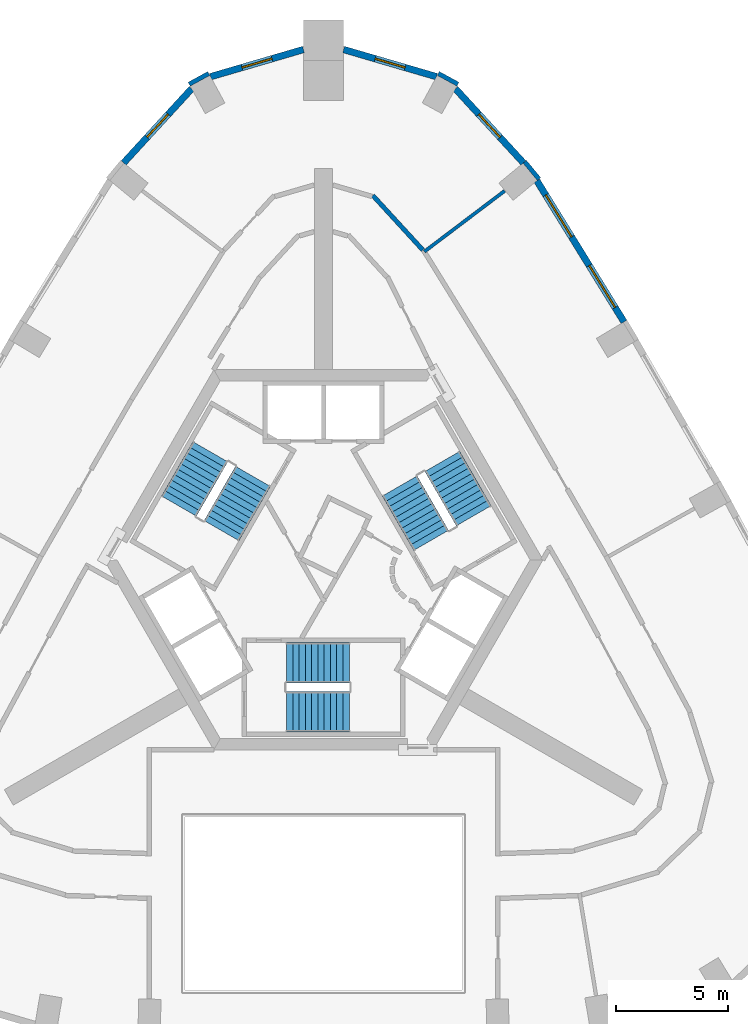
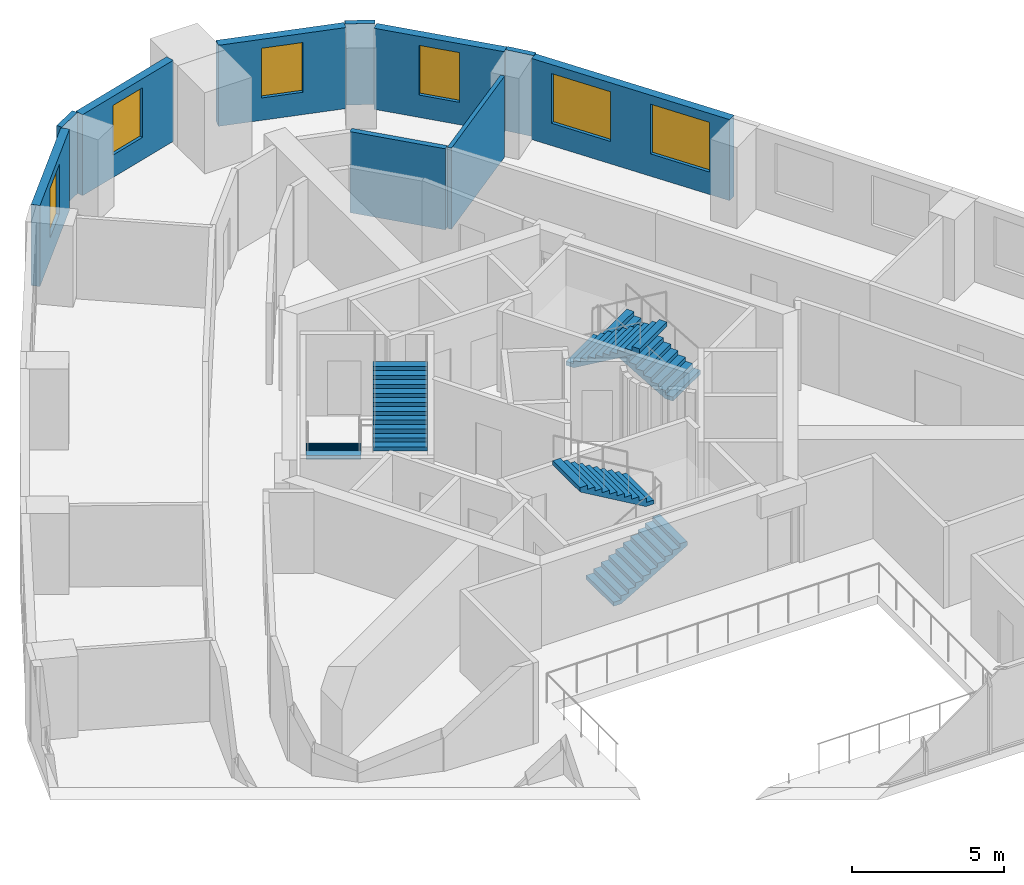
# One storey, part 7 of 8: 10 walls, 6 stair flights, 6 windows, 6 openings, 3 elements without a shape of their own.
"""IFC4 building model written with IfcOpenShell, lengths in metres."""

from ifc_helpers import new_model, si_unit, direction, frame, frame_2d, origin, place, context, subcontext, project, spatial, polyline, rectangle, outline, extrude, material, layer, layer_set, type_object, element, fill, aggregate, save


model = new_model("IFC4")

# Units and contexts
model_context = context("Model", 3, precision=1e-05, world=origin(), true_north=direction((0.0, 1.0)))
body_context = subcontext(model_context, "Body", "Model", "MODEL_VIEW")
ifc_project = project(units=[si_unit("LENGTHUNIT", "METRE"), si_unit("AREAUNIT", "SQUARE_METRE"), si_unit("VOLUMEUNIT", "CUBIC_METRE"), si_unit("PLANEANGLEUNIT", "RADIAN"), si_unit("MASSUNIT", "GRAM", prefix="KILO")], contexts=[model_context])

# Site, building, storey
site_placement = place(None, origin())
site = spatial("IfcSite", under=ifc_project, at=site_placement, CompositionType="ELEMENT")
building_placement = place(site_placement, origin())
building = spatial("IfcBuilding", under=site, at=building_placement, Name="Entoto Arch Interchange Tower", CompositionType="ELEMENT")
storey_placement = place(building_placement, frame((0.0, 0.0, 311.60009765625)))
storey = spatial("IfcBuildingStorey", under=building, at=storey_placement, Name="L73", CompositionType="ELEMENT", Elevation=311.60009765625)

# Walls
ifc_material_1 = material(Name="Gypsum board partition on steel studs", Category="steel")
ifc_layer_1 = layer(ifc_material_1, 0.14990234375)
ifc_layer_set_1 = layer_set([ifc_layer_1], Name="Gypsum board partition on steel studs")
wall_type_1 = type_object("IfcWallType", Name="PARTITION 150", PredefinedType="PARTITIONING", material=ifc_layer_set_1)
wall_1_placement = place(storey_placement, frame((4.507080078125, 16.279052734375, 0.0), z_axis=(0.0, 0.0, 1.0), x_axis=(0.797594482062, 0.603194033611, 0.0)))
element("IfcWall", 1, at=wall_1_placement, inside=storey, type_object=wall_type_1, Name="wall:L73:p071", PredefinedType="PARTITIONING", context=body_context, shape_type="SweptSolid", body=[
    extrude(rectangle(XDim=4.506103515625, YDim=0.14990234375, at=frame_2d((2.2529296875, 0.0))), origin(), (0.0, 0.0, 1.0), 3.260009765625),
])
ifc_layer_2 = layer(ifc_material_1, 0.199951171875)
ifc_layer_set_2 = layer_set([ifc_layer_2], Name="Gypsum board partition on steel studs")
wall_type_2 = type_object("IfcWallType", Name="PARTITION 200", PredefinedType="PARTITIONING", material=ifc_layer_set_2)
wall_2_placement = place(storey_placement, frame((2.2041015625, 18.791015625, 0.0), z_axis=(0.0, 0.0, 1.0), x_axis=(0.675731313907, -0.737148011871, 0.0)))
element("IfcWall", 2, at=wall_2_placement, inside=storey, type_object=wall_type_2, Name="wall:L73:p041", PredefinedType="PARTITIONING", context=body_context, shape_type="SweptSolid", body=[
    extrude(rectangle(XDim=3.307373046875, YDim=0.199951171875, at=frame_2d((1.65380859375, 0.0))), origin(), (0.0, 0.0, 1.0), 3.260009765625),
])

# Wall, openings, windows
ifc_material_2 = material(Name="Welded tuff (ignimbrite) cladding, warm buff", Category="masonry")
ifc_layer_3 = layer(ifc_material_2, 0.300048828125)
ifc_layer_set_3 = layer_set([ifc_layer_3], Name="Welded tuff (ignimbrite) cladding, warm buff")
wall_type_3 = type_object("IfcWallType", Name="STONE INFILL WALL 300", PredefinedType="STANDARD", material=ifc_layer_set_3)
wall_3_placement = place(storey_placement, frame((13.43505859375, 13.139892578125, 0.0), z_axis=(0.0, 0.0, 1.0), x_axis=(-0.525070792614, 0.851058554239, 0.0)))
wall_3 = element("IfcWall", 3, at=wall_3_placement, inside=storey, type_object=wall_type_3, Name="Facade wall NE-03 L73", PredefinedType="STANDARD", context=body_context, shape_type="SweptSolid", body=[
    extrude(rectangle(XDim=7.414306640625, YDim=0.300048828125, at=frame_2d((3.70703125, 0.0))), origin(), (0.0, 0.0, 1.0), 3.260009765625),
])
opening_1_placement = place(wall_3_placement, frame((0.75390625, 0.0, 0.89990234375)))
opening_1 = element("IfcOpeningElement", 4, at=opening_1_placement, cuts=wall_3, Name="Opening WH-A", PredefinedType="OPENING", context=body_context, shape_type="SweptSolid", body=[
    extrude(rectangle(XDim=2.199951171875, YDim=2.0, at=frame_2d((1.10009765625, 1.0))), frame((0.0, 0.16015625, 0.0), z_axis=(0.0, -1.0, 0.0), x_axis=(1.0, 0.0, 0.0)), (0.0, 0.0, 1.0), 0.320068359375),
])
opening_2_placement = place(wall_3_placement, frame((4.4609375, 0.0, 0.89990234375)))
opening_2 = element("IfcOpeningElement", 5, at=opening_2_placement, cuts=wall_3, Name="Opening WH-A", PredefinedType="OPENING", context=body_context, shape_type="SweptSolid", body=[
    extrude(rectangle(XDim=2.199951171875, YDim=2.0, at=frame_2d((1.10009765625, 1.0))), frame((0.0, 0.16015625, 0.0), z_axis=(0.0, -1.0, 0.0), x_axis=(1.0, 0.0, 0.0)), (0.0, 0.0, 1.0), 0.320068359375),
])
ifc_material_3 = material(Name="Clear glass, low-e double glazed", Category="glass")
window_type_1 = type_object("IfcWindowType", Name="WINDOW WH-A 2200x2000", PartitioningType="DOUBLE_PANEL_VERTICAL", PredefinedType="WINDOW", material=ifc_material_3)
window_1_placement = place(opening_1_placement, origin())
window_1 = element("IfcWindow", 6, at=window_1_placement, inside=storey, type_object=window_type_1, Name="Window WH-A NE-03 L73", OverallHeight=2.0, OverallWidth=2.199951171875, PartitioningType="SINGLE_PANEL", PredefinedType="WINDOW", context=body_context, shape_type="SweptSolid", body=[
    extrude(rectangle(XDim=2.199951171875, YDim=2.0, at=frame_2d((1.10009765625, 1.0))), frame((0.0, 0.030029296875, 0.0), z_axis=(0.0, -1.0, 0.0), x_axis=(1.0, 0.0, 0.0)), (0.0, 0.0, 1.0), 0.06005859375),
])
fill(opening_1, window_1)
window_2_placement = place(opening_2_placement, origin())
window_2 = element("IfcWindow", 7, at=window_2_placement, inside=storey, type_object=window_type_1, Name="Window WH-A NE-03 L73", OverallHeight=2.0, OverallWidth=2.199951171875, PartitioningType="SINGLE_PANEL", PredefinedType="WINDOW", context=body_context, shape_type="SweptSolid", body=[
    extrude(rectangle(XDim=2.199951171875, YDim=2.0, at=frame_2d((1.10009765625, 1.0))), frame((0.0, 0.030029296875, 0.0), z_axis=(0.0, -1.0, 0.0), x_axis=(1.0, 0.0, 0.0)), (0.0, 0.0, 1.0), 0.06005859375),
])
fill(opening_2, window_2)

# Wall, opening, window
wall_4_placement = place(storey_placement, frame((8.93994140625, 20.248046875, 0.0), z_axis=(0.0, 0.0, 1.0), x_axis=(-0.675798306171, 0.737086595575, 0.0)))
wall_4 = element("IfcWall", 8, at=wall_4_placement, inside=storey, type_object=wall_type_3, Name="Facade wall N-01 L73", PredefinedType="STANDARD", context=body_context, shape_type="SweptSolid", body=[
    extrude(rectangle(XDim=4.501220703125, YDim=0.300048828125, at=frame_2d((2.25048828125, 0.0))), origin(), (0.0, 0.0, 1.0), 3.260009765625),
])
opening_3_placement = place(wall_4_placement, frame((1.551025390625, 0.0, 0.89990234375)))
opening_3 = element("IfcOpeningElement", 9, at=opening_3_placement, cuts=wall_4, Name="Opening WH-B", PredefinedType="OPENING", context=body_context, shape_type="SweptSolid", body=[
    extrude(rectangle(XDim=1.39990234375, YDim=2.0, at=frame_2d((0.699951171875, 1.0))), frame((0.0, 0.16015625, 0.0), z_axis=(0.0, -1.0, 0.0), x_axis=(1.0, 0.0, 0.0)), (0.0, 0.0, 1.0), 0.320068359375),
])
window_type_2 = type_object("IfcWindowType", Name="WINDOW WH-B 1400x2000", PartitioningType="DOUBLE_PANEL_VERTICAL", PredefinedType="WINDOW", material=ifc_material_3)
window_3_placement = place(opening_3_placement, origin())
window_3 = element("IfcWindow", 10, at=window_3_placement, inside=storey, type_object=window_type_2, Name="Window WH-B N-01 L73", OverallHeight=2.0, OverallWidth=1.39990234375, PartitioningType="SINGLE_PANEL", PredefinedType="WINDOW", context=body_context, shape_type="SweptSolid", body=[
    extrude(rectangle(XDim=1.39990234375, YDim=2.0, at=frame_2d((0.699951171875, 1.0))), frame((0.0, 0.030029296875, 0.0), z_axis=(0.0, -1.0, 0.0), x_axis=(1.0, 0.0, 0.0)), (0.0, 0.0, 1.0), 0.06005859375),
])
fill(opening_3, window_3)

wall_5_placement = place(storey_placement, frame((5.052978515625, 24.10302734375, 0.0), z_axis=(0.0, 0.0, 1.0), x_axis=(-0.959783015329, 0.28074287789, 0.0)))
wall_5 = element("IfcWall", 11, at=wall_5_placement, inside=storey, type_object=wall_type_3, Name="Facade wall N-02 L73", PredefinedType="STANDARD", context=body_context, shape_type="SweptSolid", body=[
    extrude(rectangle(XDim=4.328125, YDim=0.300048828125, at=frame_2d((2.1640625, 0.0))), origin(), (0.0, 0.0, 1.0), 3.260009765625),
])
opening_4_placement = place(wall_5_placement, frame((1.464111328125, 0.0, 0.89990234375)))
opening_4 = element("IfcOpeningElement", 12, at=opening_4_placement, cuts=wall_5, Name="Opening WH-B", PredefinedType="OPENING", context=body_context, shape_type="SweptSolid", body=[
    extrude(rectangle(XDim=1.39990234375, YDim=2.0, at=frame_2d((0.699951171875, 1.0))), frame((0.0, 0.16015625, 0.0), z_axis=(0.0, -1.0, 0.0), x_axis=(1.0, 0.0, 0.0)), (0.0, 0.0, 1.0), 0.320068359375),
])
window_4_placement = place(opening_4_placement, origin())
window_4 = element("IfcWindow", 13, at=window_4_placement, inside=storey, type_object=window_type_2, Name="Window WH-B N-02 L73", OverallHeight=2.0, OverallWidth=1.39990234375, PartitioningType="SINGLE_PANEL", PredefinedType="WINDOW", context=body_context, shape_type="SweptSolid", body=[
    extrude(rectangle(XDim=1.39990234375, YDim=2.0, at=frame_2d((0.699951171875, 1.0))), frame((0.0, 0.030029296875, 0.0), z_axis=(0.0, -1.0, 0.0), x_axis=(1.0, 0.0, 0.0)), (0.0, 0.0, 1.0), 0.06005859375),
])
fill(opening_4, window_4)

wall_6_placement = place(storey_placement, frame((-0.89892578125, 25.318115234375, 0.0), z_axis=(0.0, 0.0, 1.0), x_axis=(-0.959783015329, -0.28074287789, 0.0)))
wall_6 = element("IfcWall", 14, at=wall_6_placement, inside=storey, type_object=wall_type_3, Name="Facade wall N-03 L73", PredefinedType="STANDARD", context=body_context, shape_type="SweptSolid", body=[
    extrude(rectangle(XDim=4.328125, YDim=0.300048828125, at=frame_2d((2.1640625, 0.0))), origin(), (0.0, 0.0, 1.0), 3.260009765625),
])
opening_5_placement = place(wall_6_placement, frame((1.464111328125, 0.0, 0.89990234375)))
opening_5 = element("IfcOpeningElement", 15, at=opening_5_placement, cuts=wall_6, Name="Opening WH-B", PredefinedType="OPENING", context=body_context, shape_type="SweptSolid", body=[
    extrude(rectangle(XDim=1.39990234375, YDim=2.0, at=frame_2d((0.699951171875, 1.0))), frame((0.0, 0.16015625, 0.0), z_axis=(0.0, -1.0, 0.0), x_axis=(1.0, 0.0, 0.0)), (0.0, 0.0, 1.0), 0.320068359375),
])
window_5_placement = place(opening_5_placement, origin())
window_5 = element("IfcWindow", 16, at=window_5_placement, inside=storey, type_object=window_type_2, Name="Window WH-B N-03 L73", OverallHeight=2.0, OverallWidth=1.39990234375, PartitioningType="SINGLE_PANEL", PredefinedType="WINDOW", context=body_context, shape_type="SweptSolid", body=[
    extrude(rectangle(XDim=1.39990234375, YDim=2.0, at=frame_2d((0.699951171875, 1.0))), frame((0.0, 0.030029296875, 0.0), z_axis=(0.0, -1.0, 0.0), x_axis=(1.0, 0.0, 0.0)), (0.0, 0.0, 1.0), 0.06005859375),
])
fill(opening_5, window_5)

wall_7_placement = place(storey_placement, frame((-5.89794921875, 23.56591796875, 0.0), z_axis=(0.0, 0.0, 1.0), x_axis=(-0.675798306171, -0.737086595575, 0.0)))
wall_7 = element("IfcWall", 17, at=wall_7_placement, inside=storey, type_object=wall_type_3, Name="Facade wall N-04 L73", PredefinedType="STANDARD", context=body_context, shape_type="SweptSolid", body=[
    extrude(rectangle(XDim=4.501220703125, YDim=0.300048828125, at=frame_2d((2.25048828125, 0.0))), origin(), (0.0, 0.0, 1.0), 3.260009765625),
])
opening_6_placement = place(wall_7_placement, frame((1.551025390625, 0.0, 0.89990234375)))
opening_6 = element("IfcOpeningElement", 18, at=opening_6_placement, cuts=wall_7, Name="Opening WH-B", PredefinedType="OPENING", context=body_context, shape_type="SweptSolid", body=[
    extrude(rectangle(XDim=1.39990234375, YDim=2.0, at=frame_2d((0.699951171875, 1.0))), frame((0.0, 0.16015625, 0.0), z_axis=(0.0, -1.0, 0.0), x_axis=(1.0, 0.0, 0.0)), (0.0, 0.0, 1.0), 0.320068359375),
])
window_6_placement = place(opening_6_placement, origin())
window_6 = element("IfcWindow", 19, at=window_6_placement, inside=storey, type_object=window_type_2, Name="Window WH-B N-04 L73", OverallHeight=2.0, OverallWidth=1.39990234375, PartitioningType="SINGLE_PANEL", PredefinedType="WINDOW", context=body_context, shape_type="SweptSolid", body=[
    extrude(rectangle(XDim=1.39990234375, YDim=2.0, at=frame_2d((0.699951171875, 1.0))), frame((0.0, 0.030029296875, 0.0), z_axis=(0.0, -1.0, 0.0), x_axis=(1.0, 0.0, 0.0)), (0.0, 0.0, 1.0), 0.06005859375),
])
fill(opening_6, window_6)

# Walls
ifc_layer_4 = layer(ifc_material_2, 0.199951171875)
ifc_layer_set_4 = layer_set([ifc_layer_4], Name="Welded tuff (ignimbrite) cladding, warm buff")
wall_type_4 = type_object("IfcWallType", Name="STONE PIER CLADDING 200", PredefinedType="STANDARD", material=ifc_layer_set_4)
for number, where, z_axis, x_axis, name in (
    (20, (6.008056640625, 23.76708984375, 0.0), (0.0, 0.0, 1.0), (-0.877895572914, 0.478852130681, 0.0), "Stone pier N1 L73"),
    (21, (-5.1298828125, 24.24609375, 0.0), (0.0, 0.0, 1.0), (-0.877895572914, -0.478852130681, 0.0), "Stone pier N3 L73"),
):
    element("IfcWall", number, at=place(storey_placement, frame(where, z_axis=z_axis, x_axis=x_axis)), inside=storey, type_object=wall_type_4, Name=name, PredefinedType="STANDARD", context=body_context, shape_type="SweptSolid", body=[
        extrude(rectangle(XDim=1.000244140625, YDim=0.199951171875, at=frame_2d((0.5, 0.0))), origin(), (0.0, 0.0, 1.0), 3.260009765625),
    ])
wall_8_placement = place(storey_placement, frame((9.635009765625, 19.52490234375, 0.0), z_axis=(0.0, 0.0, 1.0), x_axis=(-0.6357329148, 0.77190910154, 0.0)))
element("IfcWall", 22, at=wall_8_placement, inside=storey, type_object=wall_type_4, Name="Stone pier NE04 L73", PredefinedType="STANDARD", context=body_context, shape_type="SweptSolid", body=[
    extrude(rectangle(XDim=1.00048828125, YDim=0.199951171875, at=frame_2d((0.500244140625, 0.0))), origin(), (0.0, 0.0, 1.0), 3.260009765625),
])

# Stair, stair flights
ifc_material_4 = material(Name="Concrete C40/50", Category="concrete")
stair_type = type_object("IfcStairType", Name="EXIT STAIR RC 1800", PredefinedType="HALF_TURN_STAIR", material=ifc_material_4)
stair_1_placement = place(storey_placement, origin())
stair_1 = element("IfcStair", 23, at=stair_1_placement, inside=storey, type_object=stair_type, Name="L73 Exit stair S", PredefinedType="HALF_TURN_STAIR")
stair_flight_type = type_object("IfcStairFlightType", Name="EXIT STAIR FLIGHT RC 1800", PredefinedType="STRAIGHT", material=ifc_material_4)
stair_flight_1_placement = place(storey_placement, frame((-1.64990234375, -4.300048828125, 0.0), z_axis=(0.0, 0.0, 1.0), x_axis=(1.0, 0.0, 0.0)))
stair_flight_1 = element("IfcStairFlight", 24, at=stair_flight_1_placement, type_object=stair_flight_type, Name="ST-S flight 1", NumberOfRisers=11, NumberOfTreads=10, PredefinedType="STRAIGHT", RiserHeight=0.163636364, TreadLength=0.28, context=body_context, shape_type="SweptSolid", body=[
    extrude(outline(polyline([(-0.0029296875, 0.0), (-0.0029296875, 0.16357421875), (0.280029296875, 0.16357421875), (0.280029296875, 0.327392578125), (0.56005859375, 0.327392578125), (0.56005859375, 0.490966796875), (0.840087890625, 0.490966796875), (0.840087890625, 0.654541015625), (1.1201171875, 0.654541015625), (1.1201171875, 0.818115234375), (1.39990234375, 0.818115234375), (1.39990234375, 0.98193359375), (1.679931640625, 0.98193359375), (1.679931640625, 1.1455078125), (1.9599609375, 1.1455078125), (1.9599609375, 1.30908203125), (2.239990234375, 1.30908203125), (2.239990234375, 1.47265625), (2.52001953125, 1.47265625), (2.52001953125, 1.636474609375), (2.800048828125, 1.636474609375), (2.802978515625, 1.636474609375), (2.802978515625, 1.464599609375), (0.297119140625, 0.0), (-0.0029296875, 0.0)])), frame((0.0, 0.89990234375, 0.0), z_axis=(0.0, -1.0, 0.0), x_axis=(1.0, 0.0, 0.0)), (0.0, 0.0, 1.0), 1.800048828125),
])
stair_flight_2_placement = place(storey_placement, frame((1.14990234375, -2.10009765625, 1.7998046875), z_axis=(0.0, 0.0, 1.0), x_axis=(-1.0, 0.0, 0.0)))
stair_flight_2 = element("IfcStairFlight", 25, at=stair_flight_2_placement, type_object=stair_flight_type, Name="ST-S flight 2", NumberOfRisers=11, NumberOfTreads=10, PredefinedType="STRAIGHT", RiserHeight=0.163636364, TreadLength=0.28, context=body_context, shape_type="SweptSolid", body=[
    extrude(outline(polyline([(-0.0029296875, 0.0), (-0.0029296875, 0.16357421875), (0.280029296875, 0.16357421875), (0.280029296875, 0.327392578125), (0.56005859375, 0.327392578125), (0.56005859375, 0.490966796875), (0.840087890625, 0.490966796875), (0.840087890625, 0.654541015625), (1.1201171875, 0.654541015625), (1.1201171875, 0.818115234375), (1.39990234375, 0.818115234375), (1.39990234375, 0.98193359375), (1.679931640625, 0.98193359375), (1.679931640625, 1.1455078125), (1.9599609375, 1.1455078125), (1.9599609375, 1.30908203125), (2.239990234375, 1.30908203125), (2.239990234375, 1.47265625), (2.52001953125, 1.47265625), (2.52001953125, 1.636474609375), (2.800048828125, 1.636474609375), (2.802978515625, 1.636474609375), (2.802978515625, 1.464599609375), (0.297119140625, 0.0), (-0.0029296875, 0.0)])), frame((0.0, 0.89990234375, 0.0), z_axis=(0.0, -1.0, 0.0), x_axis=(1.0, 0.0, 0.0)), (0.0, 0.0, 1.0), 1.800048828125),
])
aggregate(stair_1, [stair_flight_1, stair_flight_2])

stair_2_placement = place(storey_placement, origin())
stair_2 = element("IfcStair", 26, at=stair_2_placement, inside=storey, type_object=stair_type, Name="L73 Exit stair NE", PredefinedType="HALF_TURN_STAIR")
stair_flight_3_placement = place(storey_placement, frame((6.7138671875, 4.470947265625, 0.0), z_axis=(0.0, 0.0, 1.0), x_axis=(-0.5, 0.866025403784, 0.0)))
stair_flight_3 = element("IfcStairFlight", 27, at=stair_flight_3_placement, type_object=stair_flight_type, Name="ST-NE flight 1", NumberOfRisers=11, NumberOfTreads=10, PredefinedType="STRAIGHT", RiserHeight=0.163636364, TreadLength=0.28, context=body_context, shape_type="SweptSolid", body=[
    extrude(outline(polyline([(-0.0029296875, 0.0), (-0.0029296875, 0.16357421875), (0.280029296875, 0.16357421875), (0.280029296875, 0.327392578125), (0.56005859375, 0.327392578125), (0.56005859375, 0.490966796875), (0.840087890625, 0.490966796875), (0.840087890625, 0.654541015625), (1.1201171875, 0.654541015625), (1.1201171875, 0.818115234375), (1.39990234375, 0.818115234375), (1.39990234375, 0.98193359375), (1.679931640625, 0.98193359375), (1.679931640625, 1.1455078125), (1.9599609375, 1.1455078125), (1.9599609375, 1.30908203125), (2.239990234375, 1.30908203125), (2.239990234375, 1.47265625), (2.52001953125, 1.47265625), (2.52001953125, 1.636474609375), (2.800048828125, 1.636474609375), (2.802978515625, 1.636474609375), (2.802978515625, 1.464599609375), (0.297119140625, 0.0), (-0.0029296875, 0.0)])), frame((0.0, 0.89990234375, 0.0), z_axis=(0.0, -1.0, 0.0), x_axis=(1.0, 0.0, 0.0)), (0.0, 0.0, 1.0), 1.800048828125),
])
stair_flight_4_placement = place(storey_placement, frame((3.40869140625, 5.7958984375, 1.7998046875), z_axis=(0.0, 0.0, 1.0), x_axis=(0.5, -0.866025403784, 0.0)))
stair_flight_4 = element("IfcStairFlight", 28, at=stair_flight_4_placement, type_object=stair_flight_type, Name="ST-NE flight 2", NumberOfRisers=11, NumberOfTreads=10, PredefinedType="STRAIGHT", RiserHeight=0.163636364, TreadLength=0.28, context=body_context, shape_type="SweptSolid", body=[
    extrude(outline(polyline([(-0.0029296875, 0.0), (-0.0029296875, 0.16357421875), (0.280029296875, 0.16357421875), (0.280029296875, 0.327392578125), (0.56005859375, 0.327392578125), (0.56005859375, 0.490966796875), (0.840087890625, 0.490966796875), (0.840087890625, 0.654541015625), (1.1201171875, 0.654541015625), (1.1201171875, 0.818115234375), (1.39990234375, 0.818115234375), (1.39990234375, 0.98193359375), (1.679931640625, 0.98193359375), (1.679931640625, 1.1455078125), (1.9599609375, 1.1455078125), (1.9599609375, 1.30908203125), (2.239990234375, 1.30908203125), (2.239990234375, 1.47265625), (2.52001953125, 1.47265625), (2.52001953125, 1.636474609375), (2.800048828125, 1.636474609375), (2.802978515625, 1.636474609375), (2.802978515625, 1.464599609375), (0.297119140625, 0.0), (-0.0029296875, 0.0)])), frame((0.0, 0.89990234375, 0.0), z_axis=(0.0, -1.0, 0.0), x_axis=(1.0, 0.0, 0.0)), (0.0, 0.0, 1.0), 1.800048828125),
])
aggregate(stair_2, [stair_flight_3, stair_flight_4])

stair_3_placement = place(storey_placement, origin())
stair_3 = element("IfcStair", 29, at=stair_3_placement, inside=storey, type_object=stair_type, Name="L73 Exit stair NW", PredefinedType="HALF_TURN_STAIR")
stair_flight_5_placement = place(storey_placement, frame((-5.06396484375, 7.328857421875, 0.0), z_axis=(0.0, 0.0, 1.0), x_axis=(-0.5, -0.866025403784, 0.0)))
stair_flight_5 = element("IfcStairFlight", 30, at=stair_flight_5_placement, type_object=stair_flight_type, Name="ST-NW flight 1", NumberOfRisers=11, NumberOfTreads=10, PredefinedType="STRAIGHT", RiserHeight=0.163636364, TreadLength=0.28, context=body_context, shape_type="SweptSolid", body=[
    extrude(outline(polyline([(-0.0029296875, 0.0), (-0.0029296875, 0.16357421875), (0.280029296875, 0.16357421875), (0.280029296875, 0.327392578125), (0.56005859375, 0.327392578125), (0.56005859375, 0.490966796875), (0.840087890625, 0.490966796875), (0.840087890625, 0.654541015625), (1.1201171875, 0.654541015625), (1.1201171875, 0.818115234375), (1.39990234375, 0.818115234375), (1.39990234375, 0.98193359375), (1.679931640625, 0.98193359375), (1.679931640625, 1.1455078125), (1.9599609375, 1.1455078125), (1.9599609375, 1.30908203125), (2.239990234375, 1.30908203125), (2.239990234375, 1.47265625), (2.52001953125, 1.47265625), (2.52001953125, 1.636474609375), (2.800048828125, 1.636474609375), (2.802978515625, 1.636474609375), (2.802978515625, 1.464599609375), (0.297119140625, 0.0), (-0.0029296875, 0.0)])), frame((0.0, 0.89990234375, 0.0), z_axis=(0.0, -1.0, 0.0), x_axis=(1.0, 0.0, 0.0)), (0.0, 0.0, 1.0), 1.800048828125),
])
stair_flight_6_placement = place(storey_placement, frame((-4.558837890625, 3.803955078125, 1.7998046875), z_axis=(0.0, 0.0, 1.0), x_axis=(0.5, 0.866025403784, 0.0)))
stair_flight_6 = element("IfcStairFlight", 31, at=stair_flight_6_placement, type_object=stair_flight_type, Name="ST-NW flight 2", NumberOfRisers=11, NumberOfTreads=10, PredefinedType="STRAIGHT", RiserHeight=0.163636364, TreadLength=0.28, context=body_context, shape_type="SweptSolid", body=[
    extrude(outline(polyline([(-0.0029296875, 0.0), (-0.0029296875, 0.16357421875), (0.280029296875, 0.16357421875), (0.280029296875, 0.327392578125), (0.56005859375, 0.327392578125), (0.56005859375, 0.490966796875), (0.840087890625, 0.490966796875), (0.840087890625, 0.654541015625), (1.1201171875, 0.654541015625), (1.1201171875, 0.818115234375), (1.39990234375, 0.818115234375), (1.39990234375, 0.98193359375), (1.679931640625, 0.98193359375), (1.679931640625, 1.1455078125), (1.9599609375, 1.1455078125), (1.9599609375, 1.30908203125), (2.239990234375, 1.30908203125), (2.239990234375, 1.47265625), (2.52001953125, 1.47265625), (2.52001953125, 1.636474609375), (2.800048828125, 1.636474609375), (2.802978515625, 1.636474609375), (2.802978515625, 1.464599609375), (0.297119140625, 0.0), (-0.0029296875, 0.0)])), frame((0.0, 0.89990234375, 0.0), z_axis=(0.0, -1.0, 0.0), x_axis=(1.0, 0.0, 0.0)), (0.0, 0.0, 1.0), 1.800048828125),
])
aggregate(stair_3, [stair_flight_5, stair_flight_6])

save(model, "model.ifc")
